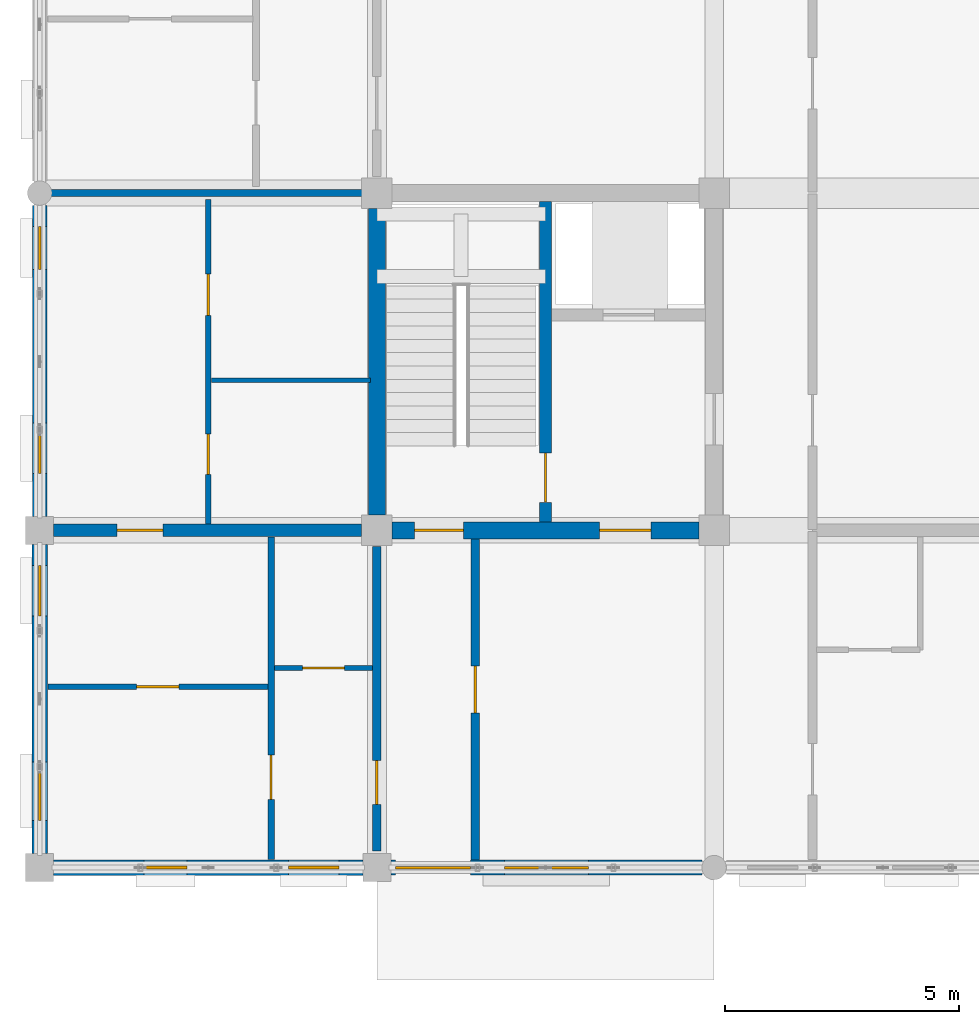
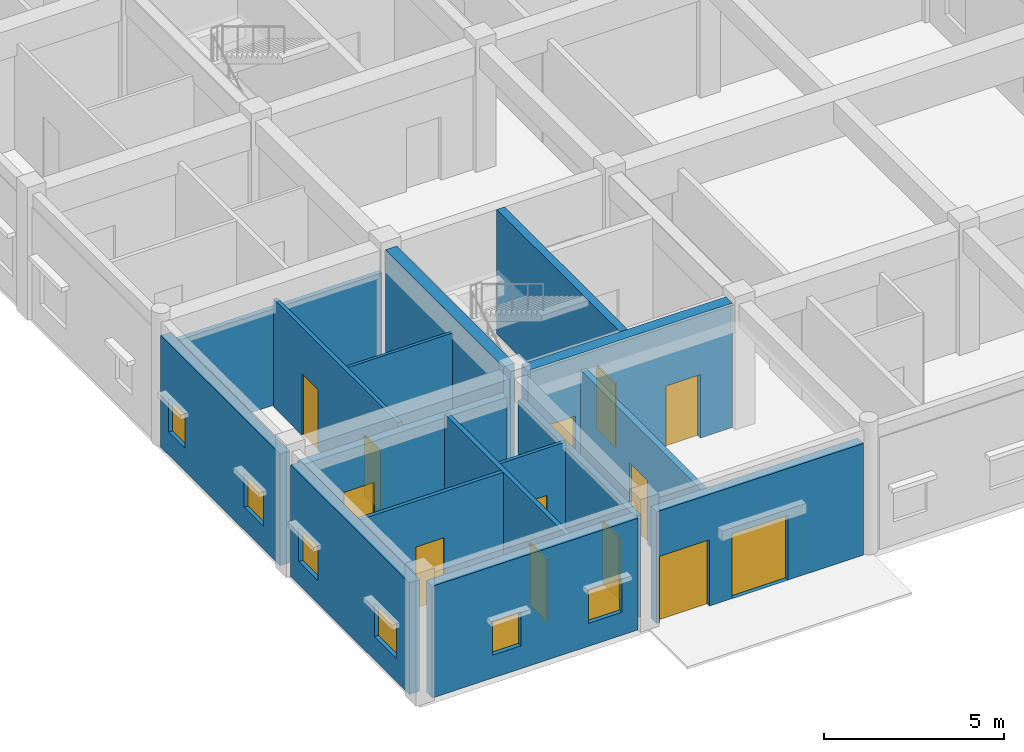
# One storey, part 94 of 138: 16 walls, 13 doors, 6 windows, 19 openings.
"""IFC4 building model written with IfcOpenShell, lengths in metres."""

from ifc_helpers import new_model, si_unit, direction, frame, frame_2d, origin, place, context, subcontext, project, spatial, rectangle, extrude, material, layer, layer_set, type_object, element, fill, save


model = new_model("IFC4")

# Units and contexts
model_context = context("Model", 3, precision=1e-05, world=origin(), true_north=direction((0.0, 1.0)))
body_context = subcontext(model_context, "Body", "Model", "MODEL_VIEW")
ifc_project = project(units=[si_unit("LENGTHUNIT", "METRE"), si_unit("AREAUNIT", "SQUARE_METRE"), si_unit("VOLUMEUNIT", "CUBIC_METRE"), si_unit("PLANEANGLEUNIT", "RADIAN"), si_unit("MASSUNIT", "GRAM", prefix="KILO"), si_unit("THERMODYNAMICTEMPERATUREUNIT", "KELVIN"), si_unit("POWERUNIT", "WATT")], contexts=[model_context])

# Site, building, storey
site_placement = place(None, origin())
site = spatial("IfcSite", under=ifc_project, at=site_placement, CompositionType="ELEMENT")
building_placement = place(site_placement, origin())
building = spatial("IfcBuilding", under=site, at=building_placement, Name="Tavuni Mirador Residences", CompositionType="ELEMENT")
storey_placement = place(building_placement, origin())
storey = spatial("IfcBuildingStorey", under=building, at=storey_placement, Name="L00", CompositionType="ELEMENT", Elevation=0.0)

# Wall, opening, door
ifc_material_1 = material(Name="Precast concrete C40/50", Category="concrete")
ifc_layer_1 = layer(ifc_material_1, 0.25, Name="Precast concrete C40/50", Category="concrete")
ifc_layer_set_1 = layer_set([ifc_layer_1], Name="Precast concrete C40/50")
wall_type_1 = type_object("IfcWallType", Name="WT-COR250", PredefinedType="SHEAR", material=ifc_layer_set_1)
wall_1_placement = place(storey_placement, frame((14.39990234375, 14.580078125, 0.0), z_axis=(0.0, 0.0, 1.0), x_axis=(0.0, 1.0, 0.0)))
wall_1 = element("IfcWall", 1, at=wall_1_placement, inside=storey, type_object=wall_type_1, Name="CWALL-C1-L00-MID", PredefinedType="SHEAR", context=body_context, shape_type="SweptSolid", body=[
    extrude(rectangle(XDim=6.83984375, YDim=0.25, at=frame_2d((3.419921875, 0.0))), origin(), (0.0, 0.0, 1.0), 4.219970703125),
])
opening_1_placement = place(wall_1_placement, frame((0.419921875, 0.0, 0.0)))
opening_1 = element("IfcOpeningElement", 2, at=opening_1_placement, cuts=wall_1, Name="Opening D-01", PredefinedType="OPENING", context=body_context, shape_type="SweptSolid", body=[
    extrude(rectangle(XDim=1.050048828125, YDim=2.14990234375, at=frame_2d((0.52490234375, 1.074951171875))), frame((0.0, 0.135009765625, 0.0), z_axis=(0.0, -1.0, 0.0), x_axis=(1.0, 0.0, 0.0)), (0.0, 0.0, 1.0), 0.27001953125),
])
ifc_material_2 = material(Name="Solid core iroko timber", Category="wood")
door_type_1 = type_object("IfcDoorType", Name="DT-ST1050", OperationType="NOTDEFINED", PredefinedType="DOOR", material=ifc_material_2)
door_1_placement = place(opening_1_placement, frame((1.050048828125, 0.0, 0.0), z_axis=(0.0, 0.0, 1.0), x_axis=(-1.0, 0.0, 0.0)))
door_1 = element("IfcDoor", 3, at=door_1_placement, inside=storey, type_object=door_type_1, Name="DR-2007", OperationType="SINGLE_SWING_LEFT", OverallHeight=2.14990234375, OverallWidth=1.050048828125, PredefinedType="DOOR", context=body_context, shape_type="SweptSolid", body=[
    extrude(rectangle(XDim=1.050048828125, YDim=2.14990234375, at=frame_2d((0.52490234375, 1.074951171875))), frame((0.0, 0.02490234375, 0.0), z_axis=(0.0, -1.0, 0.0), x_axis=(1.0, 0.0, 0.0)), (0.0, 0.0, 1.0), 0.050048828125),
])
fill(opening_1, door_1)

# Wall
ifc_layer_2 = layer(ifc_material_1, 0.360107421875, Name="Precast concrete C40/50", Category="concrete")
ifc_layer_set_2 = layer_set([ifc_layer_2], Name="Precast concrete C40/50")
wall_type_2 = type_object("IfcWallType", Name="WT-COR360", PredefinedType="SHEAR", material=ifc_layer_set_2)
wall_2_placement = place(storey_placement, frame((10.800048828125, 14.72509765625, 0.0), z_axis=(0.0, 0.0, 1.0), x_axis=(0.0, 1.0, 0.0)))
element("IfcWall", 4, at=wall_2_placement, inside=storey, type_object=wall_type_2, Name="CWALL-C1-L00-W", PredefinedType="SHEAR", context=body_context, shape_type="SweptSolid", body=[
    extrude(rectangle(XDim=6.5498046875, YDim=0.360107421875, at=frame_2d((3.27490234375, 0.0))), origin(), (0.0, 0.0, 1.0), 4.219970703125),
])

# Wall, openings, doors
wall_3_placement = place(storey_placement, frame((11.125, 14.39990234375, 0.0), z_axis=(0.0, 0.0, 1.0), x_axis=(1.0, 0.0, 0.0)))
wall_3 = element("IfcWall", 5, at=wall_3_placement, inside=storey, type_object=wall_type_2, Name="CWALL-C1-L00-SS", PredefinedType="SHEAR", context=body_context, shape_type="SweptSolid", body=[
    extrude(rectangle(XDim=6.550048828125, YDim=0.360107421875, at=frame_2d((3.27490234375, 0.0))), origin(), (0.0, 0.0, 1.0), 4.219970703125),
])
opening_2_placement = place(wall_3_placement, frame((4.425048828125, 0.0, 0.0)))
opening_2 = element("IfcOpeningElement", 6, at=opening_2_placement, cuts=wall_3, Name="Opening D-02", PredefinedType="OPENING", context=body_context, shape_type="SweptSolid", body=[
    extrude(rectangle(XDim=1.10009765625, YDim=2.14990234375, at=frame_2d((0.550048828125, 1.074951171875))), frame((0.0, 0.18994140625, 0.0), z_axis=(0.0, -1.0, 0.0), x_axis=(1.0, 0.0, 0.0)), (0.0, 0.0, 1.0), 0.380126953125),
])
opening_3_placement = place(wall_3_placement, frame((0.47509765625, 0.0, 0.0)))
opening_3 = element("IfcOpeningElement", 7, at=opening_3_placement, cuts=wall_3, Name="Opening D-01", PredefinedType="OPENING", context=body_context, shape_type="SweptSolid", body=[
    extrude(rectangle(XDim=1.050048828125, YDim=2.14990234375, at=frame_2d((0.52490234375, 1.074951171875))), frame((0.0, 0.18994140625, 0.0), z_axis=(0.0, -1.0, 0.0), x_axis=(1.0, 0.0, 0.0)), (0.0, 0.0, 1.0), 0.380126953125),
])
door_type_2 = type_object("IfcDoorType", Name="DT-LOB1100", OperationType="NOTDEFINED", PredefinedType="DOOR", material=ifc_material_2)
door_2_placement = place(opening_2_placement, frame((1.10009765625, 0.0, 0.0), z_axis=(0.0, 0.0, 1.0), x_axis=(-1.0, 0.0, 0.0)))
door_2 = element("IfcDoor", 8, at=door_2_placement, inside=storey, type_object=door_type_2, Name="DR-2006", OperationType="SINGLE_SWING_RIGHT", OverallHeight=2.14990234375, OverallWidth=1.10009765625, PredefinedType="DOOR", context=body_context, shape_type="SweptSolid", body=[
    extrude(rectangle(XDim=1.10009765625, YDim=2.14990234375, at=frame_2d((0.550048828125, 1.074951171875))), frame((0.0, 0.02490234375, 0.0), z_axis=(0.0, -1.0, 0.0), x_axis=(1.0, 0.0, 0.0)), (0.0, 0.0, 1.0), 0.050048828125),
])
fill(opening_2, door_2)
door_3_placement = place(opening_3_placement, frame((1.050048828125, 0.0, 0.0), z_axis=(0.0, 0.0, 1.0), x_axis=(-1.0, 0.0, 0.0)))
door_3 = element("IfcDoor", 9, at=door_3_placement, inside=storey, type_object=door_type_1, Name="DR-4835", OperationType="SINGLE_SWING_LEFT", OverallHeight=2.14990234375, OverallWidth=1.050048828125, PredefinedType="DOOR", context=body_context, shape_type="SweptSolid", body=[
    extrude(rectangle(XDim=1.050048828125, YDim=2.14990234375, at=frame_2d((0.52490234375, 1.074951171875))), frame((0.0, 0.02490234375, 0.0), z_axis=(0.0, -1.0, 0.0), x_axis=(1.0, 0.0, 0.0)), (0.0, 0.0, 1.0), 0.050048828125),
])
fill(opening_3, door_3)

# Wall, opening, door
ifc_layer_3 = layer(ifc_material_1, 0.18505859375, Name="Precast concrete C40/50", Category="concrete")
ifc_layer_set_3 = layer_set([ifc_layer_3], Name="Precast concrete C40/50")
wall_type_3 = type_object("IfcWallType", Name="WT-CORR185", PredefinedType="PARTITIONING", material=ifc_layer_set_3)
wall_4_placement = place(storey_placement, frame((10.800048828125, 7.550048828125, 0.0), z_axis=(0.0, 0.0, 1.0), x_axis=(0.0, 1.0, 0.0)))
wall_4 = element("IfcWall", 10, at=wall_4_placement, inside=storey, type_object=wall_type_3, Name="CORW-BLK-A-L00-1-00", PredefinedType="PARTITIONING", context=body_context, shape_type="SweptSolid", body=[
    extrude(rectangle(XDim=6.5, YDim=0.18505859375, at=frame_2d((3.25, 0.0))), origin(), (0.0, 0.0, 1.0), 3.469970703125),
])
opening_4_placement = place(wall_4_placement, frame((1.0, 0.0, 0.0)))
opening_4 = element("IfcOpeningElement", 11, at=opening_4_placement, cuts=wall_4, Name="Opening D-19", PredefinedType="OPENING", context=body_context, shape_type="SweptSolid", body=[
    extrude(rectangle(XDim=0.93994140625, YDim=2.1201171875, at=frame_2d((0.469970703125, 1.06005859375))), frame((0.0, 0.1025390625, 0.0), z_axis=(0.0, -1.0, 0.0), x_axis=(1.0, 0.0, 0.0)), (0.0, 0.0, 1.0), 0.205078125),
])
door_type_3 = type_object("IfcDoorType", Name="DT-FD60-940", OperationType="NOTDEFINED", PredefinedType="DOOR", material=ifc_material_2)
door_4_placement = place(opening_4_placement, origin())
door_4 = element("IfcDoor", 12, at=door_4_placement, inside=storey, type_object=door_type_3, Name="DR-2389", OperationType="SINGLE_SWING_RIGHT", OverallHeight=2.1201171875, OverallWidth=0.93994140625, PredefinedType="DOOR", context=body_context, shape_type="SweptSolid", body=[
    extrude(rectangle(XDim=0.93994140625, YDim=2.1201171875, at=frame_2d((0.469970703125, 1.06005859375))), frame((0.0, 0.02490234375, 0.0), z_axis=(0.0, -1.0, 0.0), x_axis=(1.0, 0.0, 0.0)), (0.0, 0.0, 1.0), 0.050048828125),
])
fill(opening_4, door_4)

wall_5_placement = place(storey_placement, frame((12.89990234375, 14.219970703125, 0.0), z_axis=(0.0, 0.0, 1.0), x_axis=(0.0, -1.0, 0.0)))
wall_5 = element("IfcWall", 13, at=wall_5_placement, inside=storey, type_object=wall_type_3, Name="XPW-ST1-E", PredefinedType="PARTITIONING", context=body_context, shape_type="SweptSolid", body=[
    extrude(rectangle(XDim=6.85986328125, YDim=0.18505859375, at=frame_2d((3.429931640625, 0.0))), origin(), (0.0, 0.0, 1.0), 3.655029296875),
])
opening_5_placement = place(wall_5_placement, frame((2.719970703125, 0.0, 0.0)))
opening_5 = element("IfcOpeningElement", 14, at=opening_5_placement, cuts=wall_5, Name="Opening D-03", PredefinedType="OPENING", context=body_context, shape_type="SweptSolid", body=[
    extrude(rectangle(XDim=1.0, YDim=2.14990234375, at=frame_2d((0.5, 1.074951171875))), frame((0.0, 0.1025390625, 0.0), z_axis=(0.0, -1.0, 0.0), x_axis=(1.0, 0.0, 0.0)), (0.0, 0.0, 1.0), 0.205078125),
])
door_type_4 = type_object("IfcDoorType", Name="DT-FD60-1000", OperationType="NOTDEFINED", PredefinedType="DOOR", material=ifc_material_2)
door_5_placement = place(opening_5_placement, origin())
door_5 = element("IfcDoor", 15, at=door_5_placement, inside=storey, type_object=door_type_4, Name="DR-4842", OperationType="SINGLE_SWING_LEFT", OverallHeight=2.14990234375, OverallWidth=1.0, PredefinedType="DOOR", context=body_context, shape_type="SweptSolid", body=[
    extrude(rectangle(XDim=1.0, YDim=2.14990234375, at=frame_2d((0.5, 1.074951171875))), frame((0.0, 0.02490234375, 0.0), z_axis=(0.0, -1.0, 0.0), x_axis=(1.0, 0.0, 0.0)), (0.0, 0.0, 1.0), 0.050048828125),
])
fill(opening_5, door_5)

# Wall, openings, windows
ifc_layer_4 = layer(ifc_material_1, 0.330078125, Name="Precast concrete C40/50", Category="concrete")
ifc_layer_set_4 = layer_set([ifc_layer_4], Name="Precast concrete C40/50")
wall_type_4 = type_object("IfcWallType", Name="WT-EXT-COR330", PredefinedType="SOLIDWALL", material=ifc_layer_set_4)
wall_6_placement = place(storey_placement, frame((3.89990234375, 7.199951171875, 0.0), z_axis=(0.0, 0.0, 1.0), x_axis=(1.0, 0.0, 0.0)))
wall_6 = element("IfcWall", 16, at=wall_6_placement, inside=storey, type_object=wall_type_4, Name="EW-BLK-A-L00-S00", PredefinedType="SOLIDWALL", context=body_context, shape_type="SweptSolid", body=[
    extrude(rectangle(XDim=6.60009765625, YDim=0.330078125, at=frame_2d((3.300048828125, 0.0))), origin(), (0.0, 0.0, 1.0), 3.7900390625),
])
opening_6_placement = place(wall_6_placement, frame((1.929931640625, 0.0, 0.780029296875)))
opening_6 = element("IfcOpeningElement", 17, at=opening_6_placement, cuts=wall_6, Name="Opening WN-02", PredefinedType="OPENING", context=body_context, shape_type="SweptSolid", body=[
    extrude(rectangle(XDim=0.919921875, YDim=1.14990234375, at=frame_2d((0.4599609375, 0.574951171875))), frame((0.0, 0.175048828125, 0.0), z_axis=(0.0, -1.0, 0.0), x_axis=(1.0, 0.0, 0.0)), (0.0, 0.0, 1.0), 0.35009765625),
])
opening_7_placement = place(wall_6_placement, frame((5.010009765625, 0.0, 0.780029296875)))
opening_7 = element("IfcOpeningElement", 18, at=opening_7_placement, cuts=wall_6, Name="Opening WN-04", PredefinedType="OPENING", context=body_context, shape_type="SweptSolid", body=[
    extrude(rectangle(XDim=1.080078125, YDim=1.14990234375, at=frame_2d((0.5400390625, 0.574951171875))), frame((0.0, 0.175048828125, 0.0), z_axis=(0.0, -1.0, 0.0), x_axis=(1.0, 0.0, 0.0)), (0.0, 0.0, 1.0), 0.35009765625),
])
ifc_material_3 = material(Name="Laminated solar-control glass", Category="glass")
window_type_1 = type_object("IfcWindowType", Name="WNT-02", PartitioningType="SINGLE_PANEL", PredefinedType="WINDOW", material=ifc_material_3)
window_1_placement = place(opening_6_placement, origin())
window_1 = element("IfcWindow", 19, at=window_1_placement, inside=storey, type_object=window_type_1, Name="WIN-0001", OverallHeight=1.14990234375, OverallWidth=0.919921875, PartitioningType="SINGLE_PANEL", PredefinedType="WINDOW", context=body_context, shape_type="SweptSolid", body=[
    extrude(rectangle(XDim=0.919921875, YDim=1.14990234375, at=frame_2d((0.4599609375, 0.574951171875))), frame((0.0, 0.030029296875, 0.0), z_axis=(0.0, -1.0, 0.0), x_axis=(1.0, 0.0, 0.0)), (0.0, 0.0, 1.0), 0.06005859375),
])
fill(opening_6, window_1)
window_type_2 = type_object("IfcWindowType", Name="WNT-04", PartitioningType="SINGLE_PANEL", PredefinedType="WINDOW", material=ifc_material_3)
window_2_placement = place(opening_7_placement, origin())
window_2 = element("IfcWindow", 20, at=window_2_placement, inside=storey, type_object=window_type_2, Name="WIN-0002", OverallHeight=1.14990234375, OverallWidth=1.080078125, PartitioningType="SINGLE_PANEL", PredefinedType="WINDOW", context=body_context, shape_type="SweptSolid", body=[
    extrude(rectangle(XDim=1.080078125, YDim=1.14990234375, at=frame_2d((0.5400390625, 0.574951171875))), frame((0.0, 0.030029296875, 0.0), z_axis=(0.0, -1.0, 0.0), x_axis=(1.0, 0.0, 0.0)), (0.0, 0.0, 1.0), 0.06005859375),
])
fill(opening_7, window_2)

wall_7_placement = place(storey_placement, frame((3.60009765625, 14.10009765625, 0.0), z_axis=(0.0, 0.0, 1.0), x_axis=(0.0, -1.0, 0.0)))
wall_7 = element("IfcWall", 21, at=wall_7_placement, inside=storey, type_object=wall_type_4, Name="EW-BLK-A-L00-W00", PredefinedType="SOLIDWALL", context=body_context, shape_type="SweptSolid", body=[
    extrude(rectangle(XDim=6.60009765625, YDim=0.330078125, at=frame_2d((3.300048828125, 0.0))), origin(), (0.0, 0.0, 1.0), 3.7900390625),
])
opening_8_placement = place(wall_7_placement, frame((0.449951171875, 0.0, 0.780029296875)))
opening_8 = element("IfcOpeningElement", 22, at=opening_8_placement, cuts=wall_7, Name="Opening WN-04", PredefinedType="OPENING", context=body_context, shape_type="SweptSolid", body=[
    extrude(rectangle(XDim=1.080078125, YDim=1.14990234375, at=frame_2d((0.5400390625, 0.574951171875))), frame((0.0, 0.175048828125, 0.0), z_axis=(0.0, -1.0, 0.0), x_axis=(1.0, 0.0, 0.0)), (0.0, 0.0, 1.0), 0.35009765625),
])
opening_9_placement = place(wall_7_placement, frame((4.64990234375, 0.0, 0.780029296875)))
opening_9 = element("IfcOpeningElement", 23, at=opening_9_placement, cuts=wall_7, Name="Opening WN-06", PredefinedType="OPENING", context=body_context, shape_type="SweptSolid", body=[
    extrude(rectangle(XDim=1.239990234375, YDim=1.14990234375, at=frame_2d((0.6201171875, 0.574951171875))), frame((0.0, 0.175048828125, 0.0), z_axis=(0.0, -1.0, 0.0), x_axis=(1.0, 0.0, 0.0)), (0.0, 0.0, 1.0), 0.35009765625),
])
window_3_placement = place(opening_8_placement, origin())
window_3 = element("IfcWindow", 24, at=window_3_placement, inside=storey, type_object=window_type_2, Name="WIN-0033", OverallHeight=1.14990234375, OverallWidth=1.080078125, PartitioningType="SINGLE_PANEL", PredefinedType="WINDOW", context=body_context, shape_type="SweptSolid", body=[
    extrude(rectangle(XDim=1.080078125, YDim=1.14990234375, at=frame_2d((0.5400390625, 0.574951171875))), frame((0.0, 0.030029296875, 0.0), z_axis=(0.0, -1.0, 0.0), x_axis=(1.0, 0.0, 0.0)), (0.0, 0.0, 1.0), 0.06005859375),
])
fill(opening_8, window_3)
window_type_3 = type_object("IfcWindowType", Name="WNT-06", PartitioningType="SINGLE_PANEL", PredefinedType="WINDOW", material=ifc_material_3)
window_4_placement = place(opening_9_placement, origin())
window_4 = element("IfcWindow", 25, at=window_4_placement, inside=storey, type_object=window_type_3, Name="WIN-0034", OverallHeight=1.14990234375, OverallWidth=1.239990234375, PartitioningType="SINGLE_PANEL", PredefinedType="WINDOW", context=body_context, shape_type="SweptSolid", body=[
    extrude(rectangle(XDim=1.239990234375, YDim=1.14990234375, at=frame_2d((0.6201171875, 0.574951171875))), frame((0.0, 0.030029296875, 0.0), z_axis=(0.0, -1.0, 0.0), x_axis=(1.0, 0.0, 0.0)), (0.0, 0.0, 1.0), 0.06005859375),
])
fill(opening_9, window_4)

# Wall, openings, doors
ifc_material_4 = material(Name="Sgraffito lime-rendered precast concrete C40/50", Category="concrete")
ifc_layer_5 = layer(ifc_material_4, 0.31494140625, Name="Sgraffito lime-rendered precast concrete C40/50", Category="concrete")
ifc_layer_set_5 = layer_set([ifc_layer_5], Name="Sgraffito lime-rendered precast concrete C40/50")
wall_type_5 = type_object("IfcWallType", Name="WT-EXT-PC315", PredefinedType="SOLIDWALL", material=ifc_layer_set_5)
wall_8_placement = place(storey_placement, frame((11.10009765625, 7.199951171875, 0.0), z_axis=(0.0, 0.0, 1.0), x_axis=(1.0, 0.0, 0.0)))
wall_8 = element("IfcWall", 26, at=wall_8_placement, inside=storey, type_object=wall_type_5, Name="EW-BLK-A-L00-S01", PredefinedType="SOLIDWALL", context=body_context, shape_type="SweptSolid", body=[
    extrude(rectangle(XDim=6.639892578125, YDim=0.31494140625, at=frame_2d((3.31982421875, 0.0))), origin(), (0.0, 0.0, 1.0), 3.7900390625),
])
opening_10_placement = place(wall_8_placement, frame((2.419921875, 0.0, 0.0)))
opening_10 = element("IfcOpeningElement", 27, at=opening_10_placement, cuts=wall_8, Name="Opening EX-02", PredefinedType="OPENING", context=body_context, shape_type="SweptSolid", body=[
    extrude(rectangle(XDim=1.800048828125, YDim=2.199951171875, at=frame_2d((0.89990234375, 1.10009765625))), frame((0.0, 0.16748046875, 0.0), z_axis=(0.0, -1.0, 0.0), x_axis=(1.0, 0.0, 0.0)), (0.0, 0.0, 1.0), 0.3349609375),
])
opening_11_placement = place(wall_8_placement, frame((0.10009765625, 0.0, 0.0)))
opening_11 = element("IfcOpeningElement", 28, at=opening_11_placement, cuts=wall_8, Name="Opening EN-01", PredefinedType="OPENING", context=body_context, shape_type="SweptSolid", body=[
    extrude(rectangle(XDim=1.60009765625, YDim=2.25, at=frame_2d((0.800048828125, 1.125))), frame((0.0, 0.16748046875, 0.0), z_axis=(0.0, -1.0, 0.0), x_axis=(1.0, 0.0, 0.0)), (0.0, 0.0, 1.0), 0.3349609375),
])
ifc_material_5 = material(Name="Anodised aluminium", Category="aluminium")
door_type_5 = type_object("IfcDoorType", Name="DT-ENT1600", OperationType="DOUBLE_DOOR_SINGLE_SWING", PredefinedType="DOOR", material=ifc_material_5)
door_6_placement = place(opening_11_placement, frame((1.60009765625, 0.0, 0.0), z_axis=(0.0, 0.0, 1.0), x_axis=(-1.0, 0.0, 0.0)))
door_6 = element("IfcDoor", 29, at=door_6_placement, inside=storey, type_object=door_type_5, Name="Final exit door EX-035", OperationType="DOUBLE_DOOR_SINGLE_SWING", OverallHeight=2.25, OverallWidth=1.60009765625, PredefinedType="DOOR", context=body_context, shape_type="SweptSolid", body=[
    extrude(rectangle(XDim=1.60009765625, YDim=2.25, at=frame_2d((0.800048828125, 1.125))), frame((0.0, 0.02490234375, 0.0), z_axis=(0.0, -1.0, 0.0), x_axis=(1.0, 0.0, 0.0)), (0.0, 0.0, 1.0), 0.050048828125),
])
fill(opening_11, door_6)
door_type_6 = type_object("IfcDoorType", Name="DT-EX1800", OperationType="DOUBLE_DOOR_SINGLE_SWING", PredefinedType="DOOR", material=ifc_material_2)
door_7_placement = place(opening_10_placement, frame((1.800048828125, 0.0, 0.0), z_axis=(0.0, 0.0, 1.0), x_axis=(-1.0, 0.0, 0.0)))
door_7 = element("IfcDoor", 30, at=door_7_placement, inside=storey, type_object=door_type_6, Name="Final exit door EX-001", OperationType="DOUBLE_DOOR_SINGLE_SWING", OverallHeight=2.199951171875, OverallWidth=1.800048828125, PredefinedType="DOOR", context=body_context, shape_type="SweptSolid", body=[
    extrude(rectangle(XDim=1.800048828125, YDim=2.199951171875, at=frame_2d((0.89990234375, 1.10009765625))), frame((0.0, 0.02490234375, 0.0), z_axis=(0.0, -1.0, 0.0), x_axis=(1.0, 0.0, 0.0)), (0.0, 0.0, 1.0), 0.050048828125),
])
fill(opening_10, door_7)

# Wall, openings, windows
wall_9_placement = place(storey_placement, frame((3.60009765625, 21.340087890625, 0.0), z_axis=(0.0, 0.0, 1.0), x_axis=(0.0, -1.0, 0.0)))
wall_9 = element("IfcWall", 31, at=wall_9_placement, inside=storey, type_object=wall_type_5, Name="EW-BLK-A-L00-W01", PredefinedType="SOLIDWALL", context=body_context, shape_type="SweptSolid", body=[
    extrude(rectangle(XDim=6.64013671875, YDim=0.31494140625, at=frame_2d((3.320068359375, 0.0))), origin(), (0.0, 0.0, 1.0), 3.7900390625),
])
opening_12_placement = place(wall_9_placement, frame((0.449951171875, 0.0, 0.780029296875)))
opening_12 = element("IfcOpeningElement", 32, at=opening_12_placement, cuts=wall_9, Name="Opening WN-02", PredefinedType="OPENING", context=body_context, shape_type="SweptSolid", body=[
    extrude(rectangle(XDim=0.919921875, YDim=1.14990234375, at=frame_2d((0.4599609375, 0.574951171875))), frame((0.0, 0.16748046875, 0.0), z_axis=(0.0, -1.0, 0.0), x_axis=(1.0, 0.0, 0.0)), (0.0, 0.0, 1.0), 0.3349609375),
])
opening_13_placement = place(wall_9_placement, frame((4.64990234375, 0.0, 0.780029296875)))
opening_13 = element("IfcOpeningElement", 33, at=opening_13_placement, cuts=wall_9, Name="Opening WN-04", PredefinedType="OPENING", context=body_context, shape_type="SweptSolid", body=[
    extrude(rectangle(XDim=1.080078125, YDim=1.14990234375, at=frame_2d((0.5400390625, 0.574951171875))), frame((0.0, 0.16748046875, 0.0), z_axis=(0.0, -1.0, 0.0), x_axis=(1.0, 0.0, 0.0)), (0.0, 0.0, 1.0), 0.3349609375),
])
window_5_placement = place(opening_12_placement, origin())
window_5 = element("IfcWindow", 34, at=window_5_placement, inside=storey, type_object=window_type_1, Name="WIN-0031", OverallHeight=1.14990234375, OverallWidth=0.919921875, PartitioningType="SINGLE_PANEL", PredefinedType="WINDOW", context=body_context, shape_type="SweptSolid", body=[
    extrude(rectangle(XDim=0.919921875, YDim=1.14990234375, at=frame_2d((0.4599609375, 0.574951171875))), frame((0.0, 0.030029296875, 0.0), z_axis=(0.0, -1.0, 0.0), x_axis=(1.0, 0.0, 0.0)), (0.0, 0.0, 1.0), 0.06005859375),
])
fill(opening_12, window_5)
window_6_placement = place(opening_13_placement, origin())
window_6 = element("IfcWindow", 35, at=window_6_placement, inside=storey, type_object=window_type_2, Name="WIN-0032", OverallHeight=1.14990234375, OverallWidth=1.080078125, PartitioningType="SINGLE_PANEL", PredefinedType="WINDOW", context=body_context, shape_type="SweptSolid", body=[
    extrude(rectangle(XDim=1.080078125, YDim=1.14990234375, at=frame_2d((0.5400390625, 0.574951171875))), frame((0.0, 0.030029296875, 0.0), z_axis=(0.0, -1.0, 0.0), x_axis=(1.0, 0.0, 0.0)), (0.0, 0.0, 1.0), 0.06005859375),
])
fill(opening_13, window_6)

# Wall
ifc_material_6 = material(Name="Acoustic gypsum and concrete block partition", Category="concrete")
ifc_layer_6 = layer(ifc_material_6, 0.094970703125, Name="Acoustic gypsum and concrete block partition", Category="concrete")
ifc_layer_set_6 = layer_set([ifc_layer_6], Name="Acoustic gypsum and concrete block partition")
wall_type_6 = type_object("IfcWallType", Name="WT-PART095", PredefinedType="PARTITIONING", material=ifc_layer_set_6)
wall_10_placement = place(storey_placement, frame((7.27001953125, 17.60009765625, 0.0), z_axis=(0.0, 0.0, 1.0), x_axis=(1.0, 0.0, 0.0)))
element("IfcWall", 36, at=wall_10_placement, inside=storey, type_object=wall_type_6, Name="PW-BLK-A-L00-WC01-H", PredefinedType="PARTITIONING", context=body_context, shape_type="SweptSolid", body=[
    extrude(rectangle(XDim=3.389892578125, YDim=0.094970703125, at=frame_2d((1.69482421875, 0.0))), origin(), (0.0, 0.0, 1.0), 3.655029296875),
])

# Wall, opening, door
ifc_layer_7 = layer(ifc_material_6, 0.10498046875, Name="Acoustic gypsum and concrete block partition", Category="concrete")
ifc_layer_set_7 = layer_set([ifc_layer_7], Name="Acoustic gypsum and concrete block partition")
wall_type_7 = type_object("IfcWallType", Name="WT-PART105", PredefinedType="PARTITIONING", material=ifc_layer_set_7)
wall_11_placement = place(storey_placement, frame((8.610107421875, 11.4599609375, 0.0), z_axis=(0.0, 0.0, 1.0), x_axis=(1.0, 0.0, 0.0)))
wall_11 = element("IfcWall", 37, at=wall_11_placement, inside=storey, type_object=wall_type_7, Name="PW-BLK-A-L00-W00-IN1", PredefinedType="PARTITIONING", context=body_context, shape_type="SweptSolid", body=[
    extrude(rectangle(XDim=2.099853515625, YDim=0.10498046875, at=frame_2d((1.0498046875, 0.0))), origin(), (0.0, 0.0, 1.0), 3.655029296875),
])
opening_14_placement = place(wall_11_placement, frame((0.60009765625, 0.0, 0.0)))
opening_14 = element("IfcOpeningElement", 38, at=opening_14_placement, cuts=wall_11, Name="Opening D-09", PredefinedType="OPENING", context=body_context, shape_type="SweptSolid", body=[
    extrude(rectangle(XDim=0.89990234375, YDim=2.050048828125, at=frame_2d((0.449951171875, 1.02490234375))), frame((0.0, 0.0625, 0.0), z_axis=(0.0, -1.0, 0.0), x_axis=(1.0, 0.0, 0.0)), (0.0, 0.0, 1.0), 0.125),
])
door_type_7 = type_object("IfcDoorType", Name="DT-WC900", OperationType="NOTDEFINED", PredefinedType="DOOR", material=ifc_material_2)
door_8_placement = place(opening_14_placement, origin())
door_8 = element("IfcDoor", 39, at=door_8_placement, inside=storey, type_object=door_type_7, Name="DR-2932", OperationType="SINGLE_SWING_RIGHT", OverallHeight=2.050048828125, OverallWidth=0.89990234375, PredefinedType="DOOR", context=body_context, shape_type="SweptSolid", body=[
    extrude(rectangle(XDim=0.89990234375, YDim=2.050048828125, at=frame_2d((0.449951171875, 1.02490234375))), frame((0.0, 0.02490234375, 0.0), z_axis=(0.0, -1.0, 0.0), x_axis=(1.0, 0.0, 0.0)), (0.0, 0.0, 1.0), 0.050048828125),
])
fill(opening_14, door_8)

ifc_layer_8 = layer(ifc_material_6, 0.114990234375, Name="Acoustic gypsum and concrete block partition", Category="concrete")
ifc_layer_set_8 = layer_set([ifc_layer_8], Name="Acoustic gypsum and concrete block partition")
wall_type_8 = type_object("IfcWallType", Name="WT-PART115", PredefinedType="PARTITIONING", material=ifc_layer_set_8)
wall_12_placement = place(storey_placement, frame((3.77490234375, 11.06005859375, 0.0), z_axis=(0.0, 0.0, 1.0), x_axis=(1.0, 0.0, 0.0)))
wall_12 = element("IfcWall", 40, at=wall_12_placement, inside=storey, type_object=wall_type_8, Name="PW-BLK-A-L00-W00-OUT", PredefinedType="PARTITIONING", context=body_context, shape_type="SweptSolid", body=[
    extrude(rectangle(XDim=4.695068359375, YDim=0.114990234375, at=frame_2d((2.34765625, 0.0))), origin(), (0.0, 0.0, 1.0), 3.655029296875),
])
opening_15_placement = place(wall_12_placement, frame((1.8974609375, 0.0, 0.0)))
opening_15 = element("IfcOpeningElement", 41, at=opening_15_placement, cuts=wall_12, Name="Opening D-07", PredefinedType="OPENING", context=body_context, shape_type="SweptSolid", body=[
    extrude(rectangle(XDim=0.89990234375, YDim=2.10009765625, at=frame_2d((0.449951171875, 1.050048828125))), frame((0.0, 0.0673828125, 0.0), z_axis=(0.0, -1.0, 0.0), x_axis=(1.0, 0.0, 0.0)), (0.0, 0.0, 1.0), 0.135009765625),
])
door_type_8 = type_object("IfcDoorType", Name="DT-BED900", OperationType="NOTDEFINED", PredefinedType="DOOR", material=ifc_material_2)
door_9_placement = place(opening_15_placement, origin())
door_9 = element("IfcDoor", 42, at=door_9_placement, inside=storey, type_object=door_type_8, Name="DR-2931", OperationType="SINGLE_SWING_LEFT", OverallHeight=2.10009765625, OverallWidth=0.89990234375, PredefinedType="DOOR", context=body_context, shape_type="SweptSolid", body=[
    extrude(rectangle(XDim=0.89990234375, YDim=2.10009765625, at=frame_2d((0.449951171875, 1.050048828125))), frame((0.0, 0.02490234375, 0.0), z_axis=(0.0, -1.0, 0.0), x_axis=(1.0, 0.0, 0.0)), (0.0, 0.0, 1.0), 0.050048828125),
])
fill(opening_15, door_9)

# Wall, openings, doors
ifc_layer_9 = layer(ifc_material_6, 0.125, Name="Acoustic gypsum and concrete block partition", Category="concrete")
ifc_layer_set_9 = layer_set([ifc_layer_9], Name="Acoustic gypsum and concrete block partition")
wall_type_9 = type_object("IfcWallType", Name="WT-PART125", PredefinedType="PARTITIONING", material=ifc_layer_set_9)
wall_13_placement = place(storey_placement, frame((7.199951171875, 14.5400390625, 0.0), z_axis=(0.0, 0.0, 1.0), x_axis=(0.0, 1.0, 0.0)))
wall_13 = element("IfcWall", 43, at=wall_13_placement, inside=storey, type_object=wall_type_9, Name="PW-BLK-A-L00-WC01-M", PredefinedType="PARTITIONING", context=body_context, shape_type="SweptSolid", body=[
    extrude(rectangle(XDim=6.919921875, YDim=0.125, at=frame_2d((3.4599609375, 0.0))), origin(), (0.0, 0.0, 1.0), 3.655029296875),
])
opening_16_placement = place(wall_13_placement, frame((1.050048828125, 0.0, 0.0)))
opening_16 = element("IfcOpeningElement", 44, at=opening_16_placement, cuts=wall_13, Name="Opening D-10", PredefinedType="OPENING", context=body_context, shape_type="SweptSolid", body=[
    extrude(rectangle(XDim=0.8701171875, YDim=2.050048828125, at=frame_2d((0.43505859375, 1.02490234375))), frame((0.0, 0.072509765625, 0.0), z_axis=(0.0, -1.0, 0.0), x_axis=(1.0, 0.0, 0.0)), (0.0, 0.0, 1.0), 0.14501953125),
])
opening_17_placement = place(wall_13_placement, frame((4.449951171875, 0.0, 0.0)))
opening_17 = element("IfcOpeningElement", 45, at=opening_17_placement, cuts=wall_13, Name="Opening D-08", PredefinedType="OPENING", context=body_context, shape_type="SweptSolid", body=[
    extrude(rectangle(XDim=0.8798828125, YDim=2.080078125, at=frame_2d((0.43994140625, 1.0400390625))), frame((0.0, 0.072509765625, 0.0), z_axis=(0.0, -1.0, 0.0), x_axis=(1.0, 0.0, 0.0)), (0.0, 0.0, 1.0), 0.14501953125),
])
door_type_9 = type_object("IfcDoorType", Name="DT-BED880", OperationType="NOTDEFINED", PredefinedType="DOOR", material=ifc_material_2)
door_10_placement = place(opening_17_placement, origin())
door_10 = element("IfcDoor", 46, at=door_10_placement, inside=storey, type_object=door_type_9, Name="DR-2936", OperationType="SINGLE_SWING_LEFT", OverallHeight=2.080078125, OverallWidth=0.8798828125, PredefinedType="DOOR", context=body_context, shape_type="SweptSolid", body=[
    extrude(rectangle(XDim=0.8798828125, YDim=2.080078125, at=frame_2d((0.43994140625, 1.0400390625))), frame((0.0, 0.02490234375, 0.0), z_axis=(0.0, -1.0, 0.0), x_axis=(1.0, 0.0, 0.0)), (0.0, 0.0, 1.0), 0.050048828125),
])
fill(opening_17, door_10)
door_type_10 = type_object("IfcDoorType", Name="DT-WC870", OperationType="NOTDEFINED", PredefinedType="DOOR", material=ifc_material_2)
door_11_placement = place(opening_16_placement, origin())
door_11 = element("IfcDoor", 47, at=door_11_placement, inside=storey, type_object=door_type_10, Name="DR-2935", OperationType="SINGLE_SWING_RIGHT", OverallHeight=2.050048828125, OverallWidth=0.8701171875, PredefinedType="DOOR", context=body_context, shape_type="SweptSolid", body=[
    extrude(rectangle(XDim=0.8701171875, YDim=2.050048828125, at=frame_2d((0.43505859375, 1.02490234375))), frame((0.0, 0.02490234375, 0.0), z_axis=(0.0, -1.0, 0.0), x_axis=(1.0, 0.0, 0.0)), (0.0, 0.0, 1.0), 0.050048828125),
])
fill(opening_16, door_11)

# Wall, opening, door
ifc_layer_10 = layer(ifc_material_6, 0.139892578125, Name="Acoustic gypsum and concrete block partition", Category="concrete")
ifc_layer_set_10 = layer_set([ifc_layer_10], Name="Acoustic gypsum and concrete block partition")
wall_type_10 = type_object("IfcWallType", Name="WT-PART140", PredefinedType="PARTITIONING", material=ifc_layer_set_10)
wall_14_placement = place(storey_placement, frame((8.5400390625, 7.375, 0.0), z_axis=(0.0, 0.0, 1.0), x_axis=(0.0, 1.0, 0.0)))
wall_14 = element("IfcWall", 48, at=wall_14_placement, inside=storey, type_object=wall_type_10, Name="PW-BLK-A-L00-W00-MID", PredefinedType="PARTITIONING", context=body_context, shape_type="SweptSolid", body=[
    extrude(rectangle(XDim=6.885009765625, YDim=0.139892578125, at=frame_2d((3.4423828125, 0.0))), origin(), (0.0, 0.0, 1.0), 3.655029296875),
])
opening_18_placement = place(wall_14_placement, frame((1.27490234375, 0.0, 0.0)))
opening_18 = element("IfcOpeningElement", 49, at=opening_18_placement, cuts=wall_14, Name="Opening D-05", PredefinedType="OPENING", context=body_context, shape_type="SweptSolid", body=[
    extrude(rectangle(XDim=0.949951171875, YDim=2.10009765625, at=frame_2d((0.47509765625, 1.050048828125))), frame((0.0, 0.080078125, 0.0), z_axis=(0.0, -1.0, 0.0), x_axis=(1.0, 0.0, 0.0)), (0.0, 0.0, 1.0), 0.159912109375),
])
door_type_11 = type_object("IfcDoorType", Name="DT-INT950", OperationType="NOTDEFINED", PredefinedType="DOOR", material=ifc_material_2)
door_12_placement = place(opening_18_placement, origin())
door_12 = element("IfcDoor", 50, at=door_12_placement, inside=storey, type_object=door_type_11, Name="DR-2933", OperationType="SINGLE_SWING_LEFT", OverallHeight=2.10009765625, OverallWidth=0.949951171875, PredefinedType="DOOR", context=body_context, shape_type="SweptSolid", body=[
    extrude(rectangle(XDim=0.949951171875, YDim=2.10009765625, at=frame_2d((0.47509765625, 1.050048828125))), frame((0.0, 0.02490234375, 0.0), z_axis=(0.0, -1.0, 0.0), x_axis=(1.0, 0.0, 0.0)), (0.0, 0.0, 1.0), 0.050048828125),
])
fill(opening_18, door_12)

# Wall
ifc_layer_11 = layer(ifc_material_6, 0.14990234375, Name="Acoustic gypsum and concrete block partition", Category="concrete")
ifc_layer_set_11 = layer_set([ifc_layer_11], Name="Acoustic gypsum and concrete block partition")
wall_type_11 = type_object("IfcWallType", Name="WT-PART150", PredefinedType="PARTITIONING", material=ifc_layer_set_11)
wall_15_placement = place(storey_placement, frame((3.77490234375, 21.60009765625, 0.0), z_axis=(0.0, 0.0, 1.0), x_axis=(1.0, 0.0, 0.0)))
element("IfcWall", 51, at=wall_15_placement, inside=storey, type_object=wall_type_11, Name="PW-BLK-A-L00-XWW02", PredefinedType="PARTITIONING", context=body_context, shape_type="SweptSolid", body=[
    extrude(rectangle(XDim=6.885009765625, YDim=0.14990234375, at=frame_2d((3.4423828125, 0.0))), origin(), (0.0, 0.0, 1.0), 3.27001953125),
])

# Wall, opening, door
ifc_layer_12 = layer(ifc_material_1, 0.264892578125, Name="Precast concrete C40/50", Category="concrete")
ifc_layer_set_12 = layer_set([ifc_layer_12], Name="Precast concrete C40/50")
wall_type_12 = type_object("IfcWallType", Name="WT-XW265", PredefinedType="SOLIDWALL", material=ifc_layer_set_12)
wall_16_placement = place(storey_placement, frame((3.89990234375, 14.39990234375, 0.0), z_axis=(0.0, 0.0, 1.0), x_axis=(1.0, 0.0, 0.0)))
wall_16 = element("IfcWall", 52, at=wall_16_placement, inside=storey, type_object=wall_type_12, Name="XW-BLK-A-L00-W-01", PredefinedType="SOLIDWALL", context=body_context, shape_type="SweptSolid", body=[
    extrude(rectangle(XDim=6.5751953125, YDim=0.264892578125, at=frame_2d((3.28759765625, 0.0))), origin(), (0.0, 0.0, 1.0), 3.52001953125),
])
opening_19_placement = place(wall_16_placement, frame((1.35009765625, 0.0, 0.0)))
opening_19 = element("IfcOpeningElement", 53, at=opening_19_placement, cuts=wall_16, Name="Opening D-04", PredefinedType="OPENING", context=body_context, shape_type="SweptSolid", body=[
    extrude(rectangle(XDim=0.97998046875, YDim=2.1201171875, at=frame_2d((0.489990234375, 1.06005859375))), frame((0.0, 0.142578125, 0.0), z_axis=(0.0, -1.0, 0.0), x_axis=(1.0, 0.0, 0.0)), (0.0, 0.0, 1.0), 0.284912109375),
])
door_type_12 = type_object("IfcDoorType", Name="DT-FD60-980", OperationType="NOTDEFINED", PredefinedType="DOOR", material=ifc_material_2)
door_13_placement = place(opening_19_placement, origin())
door_13 = element("IfcDoor", 54, at=door_13_placement, inside=storey, type_object=door_type_12, Name="DR-4674", OperationType="SINGLE_SWING_LEFT", OverallHeight=2.1201171875, OverallWidth=0.97998046875, PredefinedType="DOOR", context=body_context, shape_type="SweptSolid", body=[
    extrude(rectangle(XDim=0.97998046875, YDim=2.1201171875, at=frame_2d((0.489990234375, 1.06005859375))), frame((0.0, 0.02490234375, 0.0), z_axis=(0.0, -1.0, 0.0), x_axis=(1.0, 0.0, 0.0)), (0.0, 0.0, 1.0), 0.050048828125),
])
fill(opening_19, door_13)

save(model, "model.ifc")
